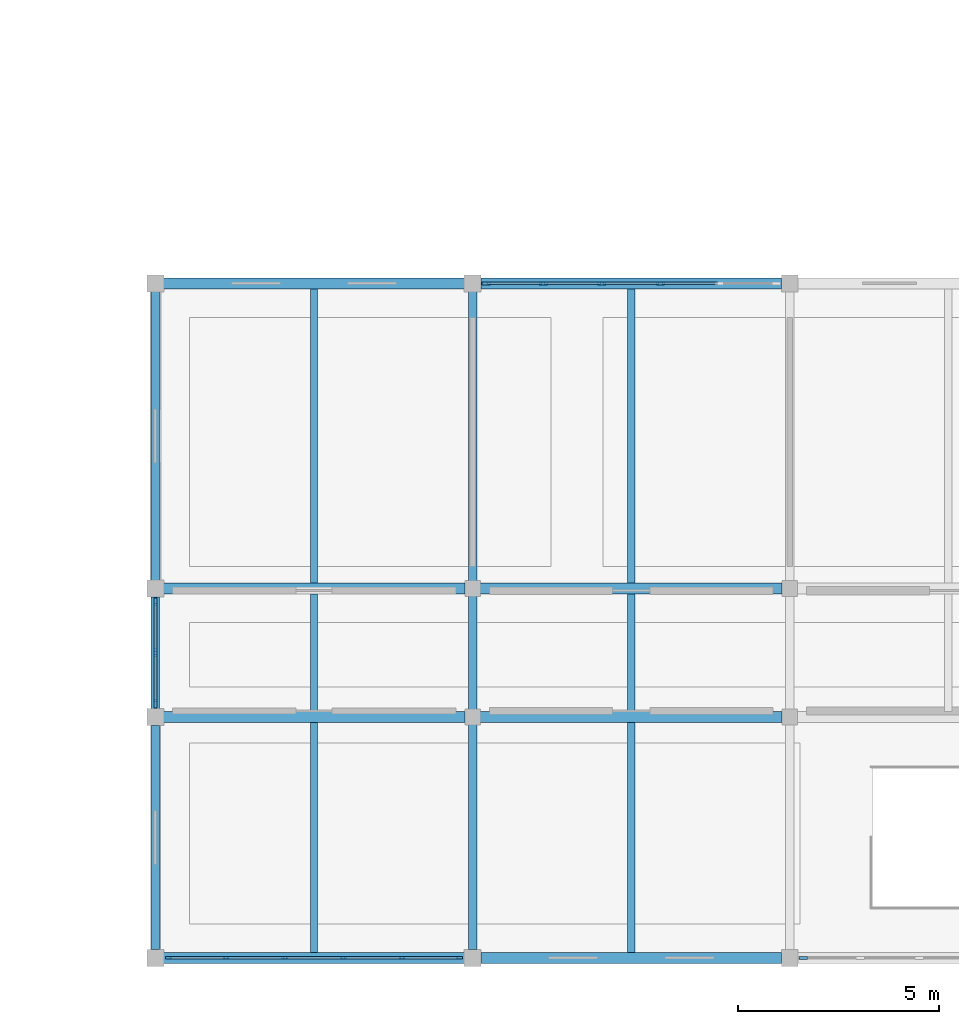
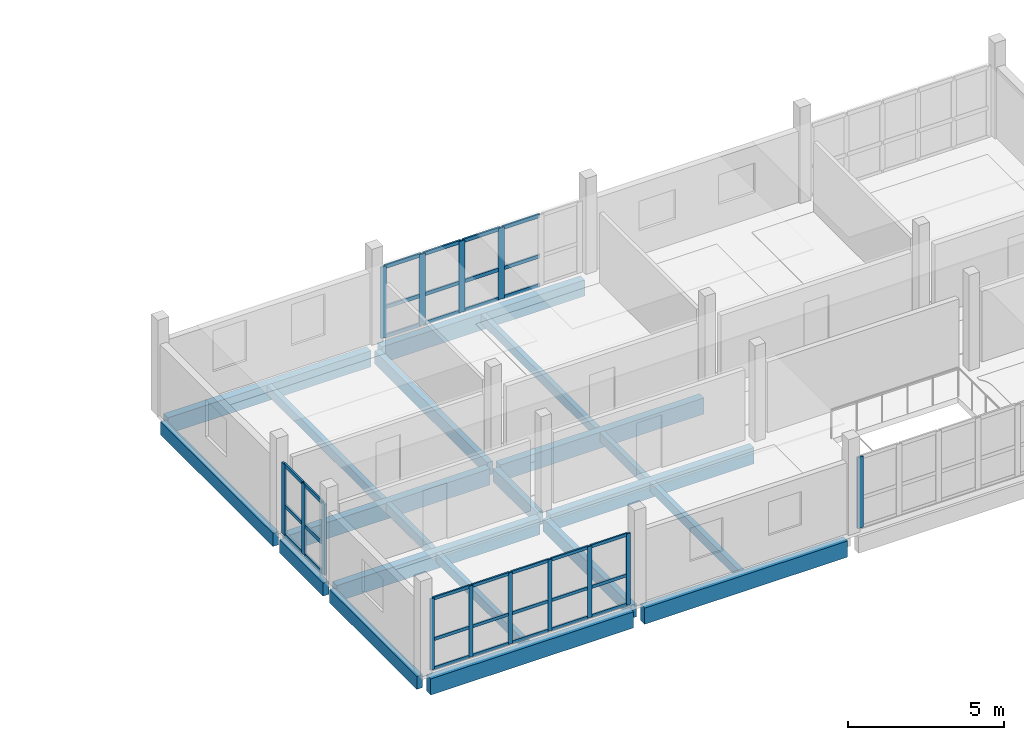
# One storey, part 14 of 66: 47 members, 20 beams, 4 elements without a shape of their own.
"""IFC4 building model written with IfcOpenShell, lengths in metres."""

from ifc_helpers import new_model, si_unit, direction, frame, origin, origin_2d, place, context, subcontext, project, spatial, rectangle, extrude, material, layer, layer_set, material_profile, profile_set, type_object, element, aggregate, save


model = new_model("IFC4")

# Units and contexts
model_context = context("Model", 3, precision=1e-05, world=origin(), true_north=direction((0.0, 1.0)))
body_context = subcontext(model_context, "Body", "Model", "MODEL_VIEW")
ifc_project = project(units=[si_unit("LENGTHUNIT", "METRE"), si_unit("AREAUNIT", "SQUARE_METRE"), si_unit("VOLUMEUNIT", "CUBIC_METRE"), si_unit("PLANEANGLEUNIT", "RADIAN"), si_unit("MASSUNIT", "GRAM", prefix="KILO")], contexts=[model_context])

# Site, building, storey
site_placement = place(None, origin())
site = spatial("IfcSite", under=ifc_project, at=site_placement, CompositionType="ELEMENT")
building_placement = place(site_placement, origin())
building = spatial("IfcBuilding", under=site, at=building_placement, Name="Caldaven Crescent School", CompositionType="ELEMENT")
storey_placement = place(building_placement, frame((0.0, 0.0, 8.159912109375)))
storey = spatial("IfcBuildingStorey", under=building, at=storey_placement, Name="L02", CompositionType="ELEMENT", Elevation=8.159912109375)

# Beams
ifc_material_1 = material(Name="Glulam MLE24h (GL28h)", Category="wood")
ifc_material_profile_1 = material_profile(ifc_material_1, rectangle(XDim=0.2099609375, YDim=0.510009765625, at=origin_2d()), Name="MLE 210x510")
ifc_profile_set_1 = profile_set([ifc_material_profile_1], Name="Glulam MLE24h (GL28h)")
beam_type_1 = type_object("IfcBeamType", Name="BM-GL51", PredefinedType="BEAM", material=ifc_profile_set_1)
beam_1_placement = place(storey_placement, frame((25.5, 4.405029296875, -0.5048828125), z_axis=(0.0, 1.0, 0.0), x_axis=(-1.0, 0.0, 0.0)))
element("IfcBeam", 1, at=beam_1_placement, inside=storey, type_object=beam_type_1, Name="BMY-V4S-L02-0646", PredefinedType="BEAM", context=body_context, shape_type="SweptSolid", body=[
    extrude(rectangle(XDim=0.2099609375, YDim=0.510009765625, at=origin_2d()), origin(), (0.0, 0.0, 1.0), 5.590087890625),
])
beam_2_placement = place(storey_placement, frame((25.5, 10.405029296875, -0.5048828125), z_axis=(0.0, 1.0, 0.0), x_axis=(-1.0, 0.0, 0.0)))
element("IfcBeam", 2, at=beam_2_placement, inside=storey, type_object=beam_type_1, Name="BMY-V4S-L02-0647", PredefinedType="BEAM", context=body_context, shape_type="SweptSolid", body=[
    extrude(rectangle(XDim=0.2099609375, YDim=0.510009765625, at=origin_2d()), origin(), (0.0, 0.0, 1.0), 2.7900390625),
])
beam_3_placement = place(storey_placement, frame((25.5, 13.60498046875, -0.5048828125), z_axis=(0.0, 1.0, 0.0), x_axis=(-1.0, 0.0, 0.0)))
element("IfcBeam", 3, at=beam_3_placement, inside=storey, type_object=beam_type_1, Name="BMY-V4S-L02-0648", PredefinedType="BEAM", context=body_context, shape_type="SweptSolid", body=[
    extrude(rectangle(XDim=0.2099609375, YDim=0.510009765625, at=origin_2d()), origin(), (0.0, 0.0, 1.0), 7.18994140625),
])
beam_4_placement = place(storey_placement, frame((33.39990234375, 4.405029296875, -0.5048828125), z_axis=(0.0, 1.0, 0.0), x_axis=(-1.0, 0.0, 0.0)))
element("IfcBeam", 4, at=beam_4_placement, inside=storey, type_object=beam_type_1, Name="BMY-V4S-L02-0649", PredefinedType="BEAM", context=body_context, shape_type="SweptSolid", body=[
    extrude(rectangle(XDim=0.2099609375, YDim=0.510009765625, at=origin_2d()), origin(), (0.0, 0.0, 1.0), 5.60498046875),
])
beam_5_placement = place(storey_placement, frame((33.39990234375, 10.389892578125, -0.5048828125), z_axis=(0.0, 1.0, 0.0), x_axis=(-1.0, 0.0, 0.0)))
element("IfcBeam", 5, at=beam_5_placement, inside=storey, type_object=beam_type_1, Name="BMY-V4S-L02-0650", PredefinedType="BEAM", context=body_context, shape_type="SweptSolid", body=[
    extrude(rectangle(XDim=0.2099609375, YDim=0.510009765625, at=origin_2d()), origin(), (0.0, 0.0, 1.0), 2.820068359375),
])
beam_6_placement = place(storey_placement, frame((33.39990234375, 13.590087890625, -0.5048828125), z_axis=(0.0, 1.0, 0.0), x_axis=(-1.0, 0.0, 0.0)))
element("IfcBeam", 6, at=beam_6_placement, inside=storey, type_object=beam_type_1, Name="BMY-V4S-L02-0651", PredefinedType="BEAM", context=body_context, shape_type="SweptSolid", body=[
    extrude(rectangle(XDim=0.2099609375, YDim=0.510009765625, at=origin_2d()), origin(), (0.0, 0.0, 1.0), 7.204833984375),
])
ifc_material_profile_2 = material_profile(ifc_material_1, rectangle(XDim=0.280029296875, YDim=0.6298828125, at=origin_2d()), Name="MLE 280x630")
ifc_profile_set_2 = profile_set([ifc_material_profile_2], Name="Glulam MLE24h (GL28h)")
beam_type_2 = type_object("IfcBeamType", Name="BM-GL63", PredefinedType="BEAM", material=ifc_profile_set_2)
for number, where, z_axis, x_axis, name in (
    (7, (25.705078125, 4.199951171875, -0.56494140625), (1.0, 0.0, 0.0), (0.0, 1.0, 0.0), "BMX-V4S-L02-0630"),
    (8, (33.60498046875, 4.199951171875, -0.56494140625), (1.0, 0.0, 0.0), (0.0, 1.0, 0.0), "BMX-V4S-L02-0631"),
):
    element("IfcBeam", number, at=place(storey_placement, frame(where, z_axis=z_axis, x_axis=x_axis)), inside=storey, type_object=beam_type_2, Name=name, PredefinedType="BEAM", context=body_context, shape_type="SweptSolid", body=[
        extrude(rectangle(XDim=0.280029296875, YDim=0.6298828125, at=origin_2d()), origin(), (0.0, 0.0, 1.0), 7.489990234375),
    ])
beam_7_placement = place(storey_placement, frame((25.705078125, 10.199951171875, -0.56494140625), z_axis=(1.0, 0.0, 0.0), x_axis=(0.0, 1.0, 0.0)))
element("IfcBeam", 9, at=beam_7_placement, inside=storey, type_object=beam_type_2, Name="BMX-V4S-L02-0634", PredefinedType="BEAM", context=body_context, shape_type="SweptSolid", body=[
    extrude(rectangle(XDim=0.280029296875, YDim=0.6298828125, at=origin_2d()), origin(), (0.0, 0.0, 1.0), 7.5048828125),
])
beam_8_placement = place(storey_placement, frame((33.590087890625, 10.199951171875, -0.56494140625), z_axis=(1.0, 0.0, 0.0), x_axis=(0.0, 1.0, 0.0)))
element("IfcBeam", 10, at=beam_8_placement, inside=storey, type_object=beam_type_2, Name="BMX-V4S-L02-0635", PredefinedType="BEAM", context=body_context, shape_type="SweptSolid", body=[
    extrude(rectangle(XDim=0.280029296875, YDim=0.6298828125, at=origin_2d()), origin(), (0.0, 0.0, 1.0), 7.52001953125),
])
beam_9_placement = place(storey_placement, frame((25.705078125, 13.39990234375, -0.56494140625), z_axis=(1.0, 0.0, 0.0), x_axis=(0.0, 1.0, 0.0)))
element("IfcBeam", 11, at=beam_9_placement, inside=storey, type_object=beam_type_2, Name="BMX-V4S-L02-0638", PredefinedType="BEAM", context=body_context, shape_type="SweptSolid", body=[
    extrude(rectangle(XDim=0.280029296875, YDim=0.6298828125, at=origin_2d()), origin(), (0.0, 0.0, 1.0), 7.5048828125),
])
beam_10_placement = place(storey_placement, frame((33.590087890625, 13.39990234375, -0.56494140625), z_axis=(1.0, 0.0, 0.0), x_axis=(0.0, 1.0, 0.0)))
element("IfcBeam", 12, at=beam_10_placement, inside=storey, type_object=beam_type_2, Name="BMX-V4S-L02-0639", PredefinedType="BEAM", context=body_context, shape_type="SweptSolid", body=[
    extrude(rectangle(XDim=0.280029296875, YDim=0.6298828125, at=origin_2d()), origin(), (0.0, 0.0, 1.0), 7.52001953125),
])
for number, where, z_axis, x_axis, name in (
    (13, (25.705078125, 21.0, -0.56494140625), (1.0, 0.0, 0.0), (0.0, 1.0, 0.0), "BMX-V4S-L02-0642"),
    (14, (33.60498046875, 21.0, -0.56494140625), (1.0, 0.0, 0.0), (0.0, 1.0, 0.0), "BMX-V4S-L02-0643"),
):
    element("IfcBeam", number, at=place(storey_placement, frame(where, z_axis=z_axis, x_axis=x_axis)), inside=storey, type_object=beam_type_2, Name=name, PredefinedType="BEAM", context=body_context, shape_type="SweptSolid", body=[
        extrude(rectangle(XDim=0.280029296875, YDim=0.6298828125, at=origin_2d()), origin(), (0.0, 0.0, 1.0), 7.489990234375),
    ])

# Curtain wall, members
ifc_material_2 = material(Name="Anodised aluminium AA 6063-T6 and low-E double glazing", Category="aluminium")
ifc_layer_1 = layer(ifc_material_2, 0.169921875)
ifc_layer_set_1 = layer_set([ifc_layer_1], Name="Anodised aluminium AA 6063-T6 and low-E double glazing")
curtain_wall_type_1 = type_object("IfcCurtainWallType", Name="CW-SYS1", PredefinedType="NOTDEFINED", material=ifc_layer_set_1)
curtain_wall_1_placement = place(storey_placement, origin())
curtain_wall_1 = element("IfcCurtainWall", 15, at=curtain_wall_1_placement, inside=storey, type_object=curtain_wall_type_1, Name="CW-L02-099", PredefinedType="NOTDEFINED")
ifc_material_3 = material(Name="Anodised aluminium AA 6063-T6", Category="aluminium")
ifc_material_profile_3 = material_profile(ifc_material_3, rectangle(XDim=0.06005859375, YDim=0.14990234375, at=origin_2d()), Name="CWM 60x150")
ifc_profile_set_3 = profile_set([ifc_material_profile_3], Name="Anodised aluminium AA 6063-T6")
member_type_1 = type_object("IfcMemberType", Name="CWM-T1", PredefinedType="MULLION", material=ifc_profile_set_3)
member_1_placement = place(storey_placement, frame((25.830078125, 4.199951171875, 0.0), z_axis=(0.0, 0.0, 1.0), x_axis=(0.0, 1.0, 0.0)))
member_1 = element("IfcMember", 16, at=member_1_placement, type_object=member_type_1, Name="CW1 mullion 1", PredefinedType="MULLION", context=body_context, shape_type="SweptSolid", body=[
    extrude(rectangle(XDim=0.06005859375, YDim=0.14990234375, at=origin_2d()), origin(), (0.0, 0.0, 1.0), 2.780029296875),
])
member_2_placement = place(storey_placement, frame((27.260009765625, 4.199951171875, 0.0), z_axis=(0.0, 0.0, 1.0), x_axis=(0.0, 1.0, 0.0)))
member_2 = element("IfcMember", 17, at=member_2_placement, type_object=member_type_1, Name="CW1 mullion 2", PredefinedType="MULLION", context=body_context, shape_type="SweptSolid", body=[
    extrude(rectangle(XDim=0.06005859375, YDim=0.14990234375, at=origin_2d()), origin(), (0.0, 0.0, 1.0), 2.780029296875),
])
member_3_placement = place(storey_placement, frame((28.719970703125, 4.199951171875, 0.0), z_axis=(0.0, 0.0, 1.0), x_axis=(0.0, 1.0, 0.0)))
member_3 = element("IfcMember", 18, at=member_3_placement, type_object=member_type_1, Name="CW1 mullion 3", PredefinedType="MULLION", context=body_context, shape_type="SweptSolid", body=[
    extrude(rectangle(XDim=0.06005859375, YDim=0.14990234375, at=origin_2d()), origin(), (0.0, 0.0, 1.0), 2.780029296875),
])
member_4_placement = place(storey_placement, frame((30.179931640625, 4.199951171875, 0.0), z_axis=(0.0, 0.0, 1.0), x_axis=(0.0, 1.0, 0.0)))
member_4 = element("IfcMember", 19, at=member_4_placement, type_object=member_type_1, Name="CW1 mullion 4", PredefinedType="MULLION", context=body_context, shape_type="SweptSolid", body=[
    extrude(rectangle(XDim=0.06005859375, YDim=0.14990234375, at=origin_2d()), origin(), (0.0, 0.0, 1.0), 2.780029296875),
])
member_5_placement = place(storey_placement, frame((31.639892578125, 4.199951171875, 0.0), z_axis=(0.0, 0.0, 1.0), x_axis=(0.0, 1.0, 0.0)))
member_5 = element("IfcMember", 20, at=member_5_placement, type_object=member_type_1, Name="CW1 mullion 5", PredefinedType="MULLION", context=body_context, shape_type="SweptSolid", body=[
    extrude(rectangle(XDim=0.06005859375, YDim=0.14990234375, at=origin_2d()), origin(), (0.0, 0.0, 1.0), 2.780029296875),
])
member_6_placement = place(storey_placement, frame((33.070068359375, 4.199951171875, 0.0), z_axis=(0.0, 0.0, 1.0), x_axis=(0.0, 1.0, 0.0)))
member_6 = element("IfcMember", 21, at=member_6_placement, type_object=member_type_1, Name="CW1 mullion 6", PredefinedType="MULLION", context=body_context, shape_type="SweptSolid", body=[
    extrude(rectangle(XDim=0.06005859375, YDim=0.14990234375, at=origin_2d()), origin(), (0.0, 0.0, 1.0), 2.780029296875),
])

# Curtain wall, member
ifc_layer_2 = layer(ifc_material_2, 0.2099609375)
ifc_layer_set_2 = layer_set([ifc_layer_2], Name="Anodised aluminium AA 6063-T6 and low-E double glazing")
curtain_wall_type_2 = type_object("IfcCurtainWallType", Name="CW-SYS3", PredefinedType="NOTDEFINED", material=ifc_layer_set_2)
curtain_wall_2_placement = place(storey_placement, origin())
curtain_wall_2 = element("IfcCurtainWall", 22, at=curtain_wall_2_placement, inside=storey, type_object=curtain_wall_type_2, Name="CW-L02-100", PredefinedType="NOTDEFINED")
ifc_material_profile_4 = material_profile(ifc_material_3, rectangle(XDim=0.070068359375, YDim=0.2099609375, at=origin_2d()), Name="CWM 70x210")
ifc_profile_set_4 = profile_set([ifc_material_profile_4], Name="Anodised aluminium AA 6063-T6")
member_type_2 = type_object("IfcMemberType", Name="CWM-T3", PredefinedType="MULLION", material=ifc_profile_set_4)
member_7_placement = place(storey_placement, frame((41.635009765625, 4.199951171875, 0.0), z_axis=(0.0, 0.0, 1.0), x_axis=(0.0, 1.0, 0.0)))
member_7 = element("IfcMember", 23, at=member_7_placement, type_object=member_type_2, Name="CW3 mullion 1", PredefinedType="MULLION", context=body_context, shape_type="SweptSolid", body=[
    extrude(rectangle(XDim=0.070068359375, YDim=0.2099609375, at=origin_2d()), origin(), (0.0, 0.0, 1.0), 2.780029296875),
])
aggregate(curtain_wall_2, [member_7])

# Curtain wall, members
curtain_wall_3_placement = place(storey_placement, origin())
curtain_wall_3 = element("IfcCurtainWall", 24, at=curtain_wall_3_placement, inside=storey, type_object=curtain_wall_type_2, Name="CW-L02-101", PredefinedType="NOTDEFINED")
member_8_placement = place(storey_placement, frame((33.735107421875, 21.0, 0.0), z_axis=(0.0, 0.0, 1.0), x_axis=(0.0, 1.0, 0.0)))
member_8 = element("IfcMember", 25, at=member_8_placement, type_object=member_type_2, Name="CW3 mullion 1", PredefinedType="MULLION", context=body_context, shape_type="SweptSolid", body=[
    extrude(rectangle(XDim=0.070068359375, YDim=0.2099609375, at=origin_2d()), origin(), (0.0, 0.0, 1.0), 2.780029296875),
])
member_9_placement = place(storey_placement, frame((35.159912109375, 21.0, 0.0), z_axis=(0.0, 0.0, 1.0), x_axis=(0.0, 1.0, 0.0)))
member_9 = element("IfcMember", 26, at=member_9_placement, type_object=member_type_2, Name="CW3 mullion 2", PredefinedType="MULLION", context=body_context, shape_type="SweptSolid", body=[
    extrude(rectangle(XDim=0.070068359375, YDim=0.2099609375, at=origin_2d()), origin(), (0.0, 0.0, 1.0), 2.780029296875),
])
member_10_placement = place(storey_placement, frame((36.6201171875, 21.0, 0.0), z_axis=(0.0, 0.0, 1.0), x_axis=(0.0, 1.0, 0.0)))
member_10 = element("IfcMember", 27, at=member_10_placement, type_object=member_type_2, Name="CW3 mullion 3", PredefinedType="MULLION", context=body_context, shape_type="SweptSolid", body=[
    extrude(rectangle(XDim=0.070068359375, YDim=0.2099609375, at=origin_2d()), origin(), (0.0, 0.0, 1.0), 2.780029296875),
])
member_11_placement = place(storey_placement, frame((38.080078125, 21.0, 0.0), z_axis=(0.0, 0.0, 1.0), x_axis=(0.0, 1.0, 0.0)))
member_11 = element("IfcMember", 28, at=member_11_placement, type_object=member_type_2, Name="CW3 mullion 4", PredefinedType="MULLION", context=body_context, shape_type="SweptSolid", body=[
    extrude(rectangle(XDim=0.070068359375, YDim=0.2099609375, at=origin_2d()), origin(), (0.0, 0.0, 1.0), 2.780029296875),
])

curtain_wall_4_placement = place(storey_placement, origin())
curtain_wall_4 = element("IfcCurtainWall", 29, at=curtain_wall_4_placement, inside=storey, type_object=curtain_wall_type_2, Name="CW-L02-103", PredefinedType="NOTDEFINED")
member_12_placement = place(storey_placement, frame((25.5, 10.534912109375, 0.0), z_axis=(0.0, 0.0, 1.0), x_axis=(-1.0, 0.0, 0.0)))
member_12 = element("IfcMember", 30, at=member_12_placement, type_object=member_type_2, Name="CW3 mullion 1", PredefinedType="MULLION", context=body_context, shape_type="SweptSolid", body=[
    extrude(rectangle(XDim=0.070068359375, YDim=0.2099609375, at=origin_2d()), origin(), (0.0, 0.0, 1.0), 2.780029296875),
])
member_13_placement = place(storey_placement, frame((25.5, 11.800048828125, 0.0), z_axis=(0.0, 0.0, 1.0), x_axis=(-1.0, 0.0, 0.0)))
member_13 = element("IfcMember", 31, at=member_13_placement, type_object=member_type_2, Name="CW3 mullion 2", PredefinedType="MULLION", context=body_context, shape_type="SweptSolid", body=[
    extrude(rectangle(XDim=0.070068359375, YDim=0.2099609375, at=origin_2d()), origin(), (0.0, 0.0, 1.0), 2.780029296875),
])
member_14_placement = place(storey_placement, frame((25.5, 13.06494140625, 0.0), z_axis=(0.0, 0.0, 1.0), x_axis=(-1.0, 0.0, 0.0)))
member_14 = element("IfcMember", 32, at=member_14_placement, type_object=member_type_2, Name="CW3 mullion 3", PredefinedType="MULLION", context=body_context, shape_type="SweptSolid", body=[
    extrude(rectangle(XDim=0.070068359375, YDim=0.2099609375, at=origin_2d()), origin(), (0.0, 0.0, 1.0), 2.780029296875),
])

# Member
ifc_material_profile_5 = material_profile(ifc_material_3, rectangle(XDim=0.06005859375, YDim=0.1201171875, at=origin_2d()), Name="CWT 60x120")
ifc_profile_set_5 = profile_set([ifc_material_profile_5], Name="Anodised aluminium AA 6063-T6")
member_type_3 = type_object("IfcMemberType", Name="CWT-T1", PredefinedType="USERDEFINED", material=ifc_profile_set_5)
member_15_placement = place(storey_placement, frame((25.860107421875, 4.199951171875, 0.030029296875), z_axis=(1.0, 0.0, 0.0), x_axis=(0.0, 1.0, 0.0)))
member_15 = element("IfcMember", 33, at=member_15_placement, type_object=member_type_3, Name="CW1 transom 1.1", ObjectType="TRANSOM", PredefinedType="USERDEFINED", context=body_context, shape_type="SweptSolid", body=[
    extrude(rectangle(XDim=0.06005859375, YDim=0.1201171875, at=origin_2d()), origin(), (0.0, 0.0, 1.0), 1.369873046875),
])

member_16_placement = place(storey_placement, frame((25.860107421875, 4.199951171875, 1.16796875), z_axis=(1.0, 0.0, 0.0), x_axis=(0.0, 1.0, 0.0)))
member_16 = element("IfcMember", 34, at=member_16_placement, type_object=member_type_3, Name="CW1 transom 1.2", ObjectType="TRANSOM", PredefinedType="USERDEFINED", context=body_context, shape_type="SweptSolid", body=[
    extrude(rectangle(XDim=0.06005859375, YDim=0.1201171875, at=origin_2d()), origin(), (0.0, 0.0, 1.0), 1.369873046875),
])

member_17_placement = place(storey_placement, frame((25.860107421875, 4.199951171875, 2.75), z_axis=(1.0, 0.0, 0.0), x_axis=(0.0, 1.0, 0.0)))
member_17 = element("IfcMember", 35, at=member_17_placement, type_object=member_type_3, Name="CW1 transom 1.3", ObjectType="TRANSOM", PredefinedType="USERDEFINED", context=body_context, shape_type="SweptSolid", body=[
    extrude(rectangle(XDim=0.06005859375, YDim=0.1201171875, at=origin_2d()), origin(), (0.0, 0.0, 1.0), 1.369873046875),
])

member_18_placement = place(storey_placement, frame((27.2900390625, 4.199951171875, 0.030029296875), z_axis=(1.0, 0.0, 0.0), x_axis=(0.0, 1.0, 0.0)))
member_18 = element("IfcMember", 36, at=member_18_placement, type_object=member_type_3, Name="CW1 transom 2.1", ObjectType="TRANSOM", PredefinedType="USERDEFINED", context=body_context, shape_type="SweptSolid", body=[
    extrude(rectangle(XDim=0.06005859375, YDim=0.1201171875, at=origin_2d()), origin(), (0.0, 0.0, 1.0), 1.39990234375),
])

member_19_placement = place(storey_placement, frame((27.2900390625, 4.199951171875, 1.16796875), z_axis=(1.0, 0.0, 0.0), x_axis=(0.0, 1.0, 0.0)))
member_19 = element("IfcMember", 37, at=member_19_placement, type_object=member_type_3, Name="CW1 transom 2.2", ObjectType="TRANSOM", PredefinedType="USERDEFINED", context=body_context, shape_type="SweptSolid", body=[
    extrude(rectangle(XDim=0.06005859375, YDim=0.1201171875, at=origin_2d()), origin(), (0.0, 0.0, 1.0), 1.39990234375),
])

member_20_placement = place(storey_placement, frame((27.2900390625, 4.199951171875, 2.75), z_axis=(1.0, 0.0, 0.0), x_axis=(0.0, 1.0, 0.0)))
member_20 = element("IfcMember", 38, at=member_20_placement, type_object=member_type_3, Name="CW1 transom 2.3", ObjectType="TRANSOM", PredefinedType="USERDEFINED", context=body_context, shape_type="SweptSolid", body=[
    extrude(rectangle(XDim=0.06005859375, YDim=0.1201171875, at=origin_2d()), origin(), (0.0, 0.0, 1.0), 1.39990234375),
])

member_21_placement = place(storey_placement, frame((28.75, 4.199951171875, 0.030029296875), z_axis=(1.0, 0.0, 0.0), x_axis=(0.0, 1.0, 0.0)))
member_21 = element("IfcMember", 39, at=member_21_placement, type_object=member_type_3, Name="CW1 transom 3.1", ObjectType="TRANSOM", PredefinedType="USERDEFINED", context=body_context, shape_type="SweptSolid", body=[
    extrude(rectangle(XDim=0.06005859375, YDim=0.1201171875, at=origin_2d()), origin(), (0.0, 0.0, 1.0), 1.39990234375),
])

member_22_placement = place(storey_placement, frame((28.75, 4.199951171875, 1.16796875), z_axis=(1.0, 0.0, 0.0), x_axis=(0.0, 1.0, 0.0)))
member_22 = element("IfcMember", 40, at=member_22_placement, type_object=member_type_3, Name="CW1 transom 3.2", ObjectType="TRANSOM", PredefinedType="USERDEFINED", context=body_context, shape_type="SweptSolid", body=[
    extrude(rectangle(XDim=0.06005859375, YDim=0.1201171875, at=origin_2d()), origin(), (0.0, 0.0, 1.0), 1.39990234375),
])

member_23_placement = place(storey_placement, frame((28.75, 4.199951171875, 2.75), z_axis=(1.0, 0.0, 0.0), x_axis=(0.0, 1.0, 0.0)))
member_23 = element("IfcMember", 41, at=member_23_placement, type_object=member_type_3, Name="CW1 transom 3.3", ObjectType="TRANSOM", PredefinedType="USERDEFINED", context=body_context, shape_type="SweptSolid", body=[
    extrude(rectangle(XDim=0.06005859375, YDim=0.1201171875, at=origin_2d()), origin(), (0.0, 0.0, 1.0), 1.39990234375),
])

member_24_placement = place(storey_placement, frame((30.2099609375, 4.199951171875, 0.030029296875), z_axis=(1.0, 0.0, 0.0), x_axis=(0.0, 1.0, 0.0)))
member_24 = element("IfcMember", 42, at=member_24_placement, type_object=member_type_3, Name="CW1 transom 4.1", ObjectType="TRANSOM", PredefinedType="USERDEFINED", context=body_context, shape_type="SweptSolid", body=[
    extrude(rectangle(XDim=0.06005859375, YDim=0.1201171875, at=origin_2d()), origin(), (0.0, 0.0, 1.0), 1.400146484375),
])

member_25_placement = place(storey_placement, frame((30.2099609375, 4.199951171875, 1.16796875), z_axis=(1.0, 0.0, 0.0), x_axis=(0.0, 1.0, 0.0)))
member_25 = element("IfcMember", 43, at=member_25_placement, type_object=member_type_3, Name="CW1 transom 4.2", ObjectType="TRANSOM", PredefinedType="USERDEFINED", context=body_context, shape_type="SweptSolid", body=[
    extrude(rectangle(XDim=0.06005859375, YDim=0.1201171875, at=origin_2d()), origin(), (0.0, 0.0, 1.0), 1.400146484375),
])

member_26_placement = place(storey_placement, frame((30.2099609375, 4.199951171875, 2.75), z_axis=(1.0, 0.0, 0.0), x_axis=(0.0, 1.0, 0.0)))
member_26 = element("IfcMember", 44, at=member_26_placement, type_object=member_type_3, Name="CW1 transom 4.3", ObjectType="TRANSOM", PredefinedType="USERDEFINED", context=body_context, shape_type="SweptSolid", body=[
    extrude(rectangle(XDim=0.06005859375, YDim=0.1201171875, at=origin_2d()), origin(), (0.0, 0.0, 1.0), 1.400146484375),
])

member_27_placement = place(storey_placement, frame((31.669921875, 4.199951171875, 0.030029296875), z_axis=(1.0, 0.0, 0.0), x_axis=(0.0, 1.0, 0.0)))
member_27 = element("IfcMember", 45, at=member_27_placement, type_object=member_type_3, Name="CW1 transom 5.1", ObjectType="TRANSOM", PredefinedType="USERDEFINED", context=body_context, shape_type="SweptSolid", body=[
    extrude(rectangle(XDim=0.06005859375, YDim=0.1201171875, at=origin_2d()), origin(), (0.0, 0.0, 1.0), 1.3701171875),
])

member_28_placement = place(storey_placement, frame((31.669921875, 4.199951171875, 1.16796875), z_axis=(1.0, 0.0, 0.0), x_axis=(0.0, 1.0, 0.0)))
member_28 = element("IfcMember", 46, at=member_28_placement, type_object=member_type_3, Name="CW1 transom 5.2", ObjectType="TRANSOM", PredefinedType="USERDEFINED", context=body_context, shape_type="SweptSolid", body=[
    extrude(rectangle(XDim=0.06005859375, YDim=0.1201171875, at=origin_2d()), origin(), (0.0, 0.0, 1.0), 1.3701171875),
])

member_29_placement = place(storey_placement, frame((31.669921875, 4.199951171875, 2.75), z_axis=(1.0, 0.0, 0.0), x_axis=(0.0, 1.0, 0.0)))
member_29 = element("IfcMember", 47, at=member_29_placement, type_object=member_type_3, Name="CW1 transom 5.3", ObjectType="TRANSOM", PredefinedType="USERDEFINED", context=body_context, shape_type="SweptSolid", body=[
    extrude(rectangle(XDim=0.06005859375, YDim=0.1201171875, at=origin_2d()), origin(), (0.0, 0.0, 1.0), 1.3701171875),
])

aggregate(curtain_wall_1, [member_1, member_2, member_3, member_4, member_5, member_6, member_15, member_16, member_17, member_18, member_19, member_20, member_21, member_22, member_23, member_24, member_25, member_26, member_27, member_28, member_29])

ifc_material_profile_6 = material_profile(ifc_material_3, rectangle(XDim=0.06494140625, YDim=0.139892578125, at=origin_2d()), Name="CWT 65x140")
ifc_profile_set_6 = profile_set([ifc_material_profile_6], Name="Anodised aluminium AA 6063-T6")
member_type_4 = type_object("IfcMemberType", Name="CWT-T2", PredefinedType="USERDEFINED", material=ifc_profile_set_6)
member_30_placement = place(storey_placement, frame((33.77001953125, 21.0, 0.032470703125), z_axis=(1.0, 0.0, 0.0), x_axis=(0.0, 1.0, 0.0)))
member_30 = element("IfcMember", 48, at=member_30_placement, type_object=member_type_4, Name="CW3 transom 1.1", ObjectType="TRANSOM", PredefinedType="USERDEFINED", context=body_context, shape_type="SweptSolid", body=[
    extrude(rectangle(XDim=0.06494140625, YDim=0.139892578125, at=origin_2d()), origin(), (0.0, 0.0, 1.0), 1.35498046875),
])

member_31_placement = place(storey_placement, frame((33.77001953125, 21.0, 1.16796875), z_axis=(1.0, 0.0, 0.0), x_axis=(0.0, 1.0, 0.0)))
member_31 = element("IfcMember", 49, at=member_31_placement, type_object=member_type_4, Name="CW3 transom 1.2", ObjectType="TRANSOM", PredefinedType="USERDEFINED", context=body_context, shape_type="SweptSolid", body=[
    extrude(rectangle(XDim=0.06494140625, YDim=0.139892578125, at=origin_2d()), origin(), (0.0, 0.0, 1.0), 1.35498046875),
])

member_32_placement = place(storey_placement, frame((33.77001953125, 21.0, 2.74755859375), z_axis=(1.0, 0.0, 0.0), x_axis=(0.0, 1.0, 0.0)))
member_32 = element("IfcMember", 50, at=member_32_placement, type_object=member_type_4, Name="CW3 transom 1.3", ObjectType="TRANSOM", PredefinedType="USERDEFINED", context=body_context, shape_type="SweptSolid", body=[
    extrude(rectangle(XDim=0.06494140625, YDim=0.139892578125, at=origin_2d()), origin(), (0.0, 0.0, 1.0), 1.35498046875),
])

member_33_placement = place(storey_placement, frame((35.195068359375, 21.0, 0.032470703125), z_axis=(1.0, 0.0, 0.0), x_axis=(0.0, 1.0, 0.0)))
member_33 = element("IfcMember", 51, at=member_33_placement, type_object=member_type_4, Name="CW3 transom 2.1", ObjectType="TRANSOM", PredefinedType="USERDEFINED", context=body_context, shape_type="SweptSolid", body=[
    extrude(rectangle(XDim=0.06494140625, YDim=0.139892578125, at=origin_2d()), origin(), (0.0, 0.0, 1.0), 1.389892578125),
])

member_34_placement = place(storey_placement, frame((35.195068359375, 21.0, 1.16796875), z_axis=(1.0, 0.0, 0.0), x_axis=(0.0, 1.0, 0.0)))
member_34 = element("IfcMember", 52, at=member_34_placement, type_object=member_type_4, Name="CW3 transom 2.2", ObjectType="TRANSOM", PredefinedType="USERDEFINED", context=body_context, shape_type="SweptSolid", body=[
    extrude(rectangle(XDim=0.06494140625, YDim=0.139892578125, at=origin_2d()), origin(), (0.0, 0.0, 1.0), 1.389892578125),
])

member_35_placement = place(storey_placement, frame((35.195068359375, 21.0, 2.74755859375), z_axis=(1.0, 0.0, 0.0), x_axis=(0.0, 1.0, 0.0)))
member_35 = element("IfcMember", 53, at=member_35_placement, type_object=member_type_4, Name="CW3 transom 2.3", ObjectType="TRANSOM", PredefinedType="USERDEFINED", context=body_context, shape_type="SweptSolid", body=[
    extrude(rectangle(XDim=0.06494140625, YDim=0.139892578125, at=origin_2d()), origin(), (0.0, 0.0, 1.0), 1.389892578125),
])

member_36_placement = place(storey_placement, frame((36.655029296875, 21.0, 0.032470703125), z_axis=(1.0, 0.0, 0.0), x_axis=(0.0, 1.0, 0.0)))
member_36 = element("IfcMember", 54, at=member_36_placement, type_object=member_type_4, Name="CW3 transom 3.1", ObjectType="TRANSOM", PredefinedType="USERDEFINED", context=body_context, shape_type="SweptSolid", body=[
    extrude(rectangle(XDim=0.06494140625, YDim=0.139892578125, at=origin_2d()), origin(), (0.0, 0.0, 1.0), 1.389892578125),
])

member_37_placement = place(storey_placement, frame((36.655029296875, 21.0, 1.16796875), z_axis=(1.0, 0.0, 0.0), x_axis=(0.0, 1.0, 0.0)))
member_37 = element("IfcMember", 55, at=member_37_placement, type_object=member_type_4, Name="CW3 transom 3.2", ObjectType="TRANSOM", PredefinedType="USERDEFINED", context=body_context, shape_type="SweptSolid", body=[
    extrude(rectangle(XDim=0.06494140625, YDim=0.139892578125, at=origin_2d()), origin(), (0.0, 0.0, 1.0), 1.389892578125),
])

member_38_placement = place(storey_placement, frame((36.655029296875, 21.0, 2.74755859375), z_axis=(1.0, 0.0, 0.0), x_axis=(0.0, 1.0, 0.0)))
member_38 = element("IfcMember", 56, at=member_38_placement, type_object=member_type_4, Name="CW3 transom 3.3", ObjectType="TRANSOM", PredefinedType="USERDEFINED", context=body_context, shape_type="SweptSolid", body=[
    extrude(rectangle(XDim=0.06494140625, YDim=0.139892578125, at=origin_2d()), origin(), (0.0, 0.0, 1.0), 1.389892578125),
])

member_39_placement = place(storey_placement, frame((38.114990234375, 21.0, 0.032470703125), z_axis=(1.0, 0.0, 0.0), x_axis=(0.0, 1.0, 0.0)))
member_39 = element("IfcMember", 57, at=member_39_placement, type_object=member_type_4, Name="CW3 transom 4.1", ObjectType="TRANSOM", PredefinedType="USERDEFINED", context=body_context, shape_type="SweptSolid", body=[
    extrude(rectangle(XDim=0.06494140625, YDim=0.139892578125, at=origin_2d()), origin(), (0.0, 0.0, 1.0), 1.389892578125),
])

member_40_placement = place(storey_placement, frame((38.114990234375, 21.0, 1.16796875), z_axis=(1.0, 0.0, 0.0), x_axis=(0.0, 1.0, 0.0)))
member_40 = element("IfcMember", 58, at=member_40_placement, type_object=member_type_4, Name="CW3 transom 4.2", ObjectType="TRANSOM", PredefinedType="USERDEFINED", context=body_context, shape_type="SweptSolid", body=[
    extrude(rectangle(XDim=0.06494140625, YDim=0.139892578125, at=origin_2d()), origin(), (0.0, 0.0, 1.0), 1.389892578125),
])

member_41_placement = place(storey_placement, frame((38.114990234375, 21.0, 2.74755859375), z_axis=(1.0, 0.0, 0.0), x_axis=(0.0, 1.0, 0.0)))
member_41 = element("IfcMember", 59, at=member_41_placement, type_object=member_type_4, Name="CW3 transom 4.3", ObjectType="TRANSOM", PredefinedType="USERDEFINED", context=body_context, shape_type="SweptSolid", body=[
    extrude(rectangle(XDim=0.06494140625, YDim=0.139892578125, at=origin_2d()), origin(), (0.0, 0.0, 1.0), 1.389892578125),
])

aggregate(curtain_wall_3, [member_8, member_9, member_10, member_11, member_30, member_31, member_32, member_33, member_34, member_35, member_36, member_37, member_38, member_39, member_40, member_41])

member_42_placement = place(storey_placement, frame((25.5, 10.570068359375, 0.032470703125), z_axis=(0.0, 1.0, 0.0), x_axis=(-1.0, 0.0, 0.0)))
member_42 = element("IfcMember", 60, at=member_42_placement, type_object=member_type_4, Name="CW3 transom 1.1", ObjectType="TRANSOM", PredefinedType="USERDEFINED", context=body_context, shape_type="SweptSolid", body=[
    extrude(rectangle(XDim=0.06494140625, YDim=0.139892578125, at=origin_2d()), origin(), (0.0, 0.0, 1.0), 1.19482421875),
])

member_43_placement = place(storey_placement, frame((25.5, 10.570068359375, 1.16796875), z_axis=(0.0, 1.0, 0.0), x_axis=(-1.0, 0.0, 0.0)))
member_43 = element("IfcMember", 61, at=member_43_placement, type_object=member_type_4, Name="CW3 transom 1.2", ObjectType="TRANSOM", PredefinedType="USERDEFINED", context=body_context, shape_type="SweptSolid", body=[
    extrude(rectangle(XDim=0.06494140625, YDim=0.139892578125, at=origin_2d()), origin(), (0.0, 0.0, 1.0), 1.19482421875),
])

member_44_placement = place(storey_placement, frame((25.5, 10.570068359375, 2.74755859375), z_axis=(0.0, 1.0, 0.0), x_axis=(-1.0, 0.0, 0.0)))
member_44 = element("IfcMember", 62, at=member_44_placement, type_object=member_type_4, Name="CW3 transom 1.3", ObjectType="TRANSOM", PredefinedType="USERDEFINED", context=body_context, shape_type="SweptSolid", body=[
    extrude(rectangle(XDim=0.06494140625, YDim=0.139892578125, at=origin_2d()), origin(), (0.0, 0.0, 1.0), 1.19482421875),
])

member_45_placement = place(storey_placement, frame((25.5, 11.8349609375, 0.032470703125), z_axis=(0.0, 1.0, 0.0), x_axis=(-1.0, 0.0, 0.0)))
member_45 = element("IfcMember", 63, at=member_45_placement, type_object=member_type_4, Name="CW3 transom 2.1", ObjectType="TRANSOM", PredefinedType="USERDEFINED", context=body_context, shape_type="SweptSolid", body=[
    extrude(rectangle(XDim=0.06494140625, YDim=0.139892578125, at=origin_2d()), origin(), (0.0, 0.0, 1.0), 1.195068359375),
])

member_46_placement = place(storey_placement, frame((25.5, 11.8349609375, 1.16796875), z_axis=(0.0, 1.0, 0.0), x_axis=(-1.0, 0.0, 0.0)))
member_46 = element("IfcMember", 64, at=member_46_placement, type_object=member_type_4, Name="CW3 transom 2.2", ObjectType="TRANSOM", PredefinedType="USERDEFINED", context=body_context, shape_type="SweptSolid", body=[
    extrude(rectangle(XDim=0.06494140625, YDim=0.139892578125, at=origin_2d()), origin(), (0.0, 0.0, 1.0), 1.195068359375),
])

member_47_placement = place(storey_placement, frame((25.5, 11.8349609375, 2.74755859375), z_axis=(0.0, 1.0, 0.0), x_axis=(-1.0, 0.0, 0.0)))
member_47 = element("IfcMember", 65, at=member_47_placement, type_object=member_type_4, Name="CW3 transom 2.3", ObjectType="TRANSOM", PredefinedType="USERDEFINED", context=body_context, shape_type="SweptSolid", body=[
    extrude(rectangle(XDim=0.06494140625, YDim=0.139892578125, at=origin_2d()), origin(), (0.0, 0.0, 1.0), 1.195068359375),
])

aggregate(curtain_wall_4, [member_12, member_13, member_14, member_42, member_43, member_44, member_45, member_46, member_47])

# Beams
ifc_material_profile_7 = material_profile(ifc_material_1, rectangle(XDim=0.179931640625, YDim=0.360107421875, at=origin_2d()), Name="MLE 180x360")
ifc_profile_set_7 = profile_set([ifc_material_profile_7], Name="Glulam MLE24h (GL28h)")
beam_type_3 = type_object("IfcBeamType", Name="JS-GL36", PredefinedType="JOIST", material=ifc_profile_set_7)
beam_11_placement = place(storey_placement, frame((29.449951171875, 4.3349609375, -0.429931640625), z_axis=(0.0, 1.0, 0.0), x_axis=(-1.0, 0.0, 0.0)))
element("IfcBeam", 66, at=beam_11_placement, inside=storey, type_object=beam_type_3, Name="JS-V4S-L02-0661", PredefinedType="JOIST", context=body_context, shape_type="SweptSolid", body=[
    extrude(rectangle(XDim=0.179931640625, YDim=0.360107421875, at=origin_2d()), origin(), (0.0, 0.0, 1.0), 5.72998046875),
])
beam_12_placement = place(storey_placement, frame((29.449951171875, 10.3349609375, -0.429931640625), z_axis=(0.0, 1.0, 0.0), x_axis=(-1.0, 0.0, 0.0)))
element("IfcBeam", 67, at=beam_12_placement, inside=storey, type_object=beam_type_3, Name="JS-V4S-L02-0662", PredefinedType="JOIST", context=body_context, shape_type="SweptSolid", body=[
    extrude(rectangle(XDim=0.179931640625, YDim=0.360107421875, at=origin_2d()), origin(), (0.0, 0.0, 1.0), 2.929931640625),
])
beam_13_placement = place(storey_placement, frame((29.449951171875, 13.534912109375, -0.429931640625), z_axis=(0.0, 1.0, 0.0), x_axis=(-1.0, 0.0, 0.0)))
element("IfcBeam", 68, at=beam_13_placement, inside=storey, type_object=beam_type_3, Name="JS-V4S-L02-0663", PredefinedType="JOIST", context=body_context, shape_type="SweptSolid", body=[
    extrude(rectangle(XDim=0.179931640625, YDim=0.360107421875, at=origin_2d()), origin(), (0.0, 0.0, 1.0), 7.330078125),
])
beam_14_placement = place(storey_placement, frame((37.35009765625, 4.3349609375, -0.429931640625), z_axis=(0.0, 1.0, 0.0), x_axis=(-1.0, 0.0, 0.0)))
element("IfcBeam", 69, at=beam_14_placement, inside=storey, type_object=beam_type_3, Name="JS-V4S-L02-0664", PredefinedType="JOIST", context=body_context, shape_type="SweptSolid", body=[
    extrude(rectangle(XDim=0.179931640625, YDim=0.360107421875, at=origin_2d()), origin(), (0.0, 0.0, 1.0), 5.72998046875),
])
beam_15_placement = place(storey_placement, frame((37.35009765625, 10.3349609375, -0.429931640625), z_axis=(0.0, 1.0, 0.0), x_axis=(-1.0, 0.0, 0.0)))
element("IfcBeam", 70, at=beam_15_placement, inside=storey, type_object=beam_type_3, Name="JS-V4S-L02-0665", PredefinedType="JOIST", context=body_context, shape_type="SweptSolid", body=[
    extrude(rectangle(XDim=0.179931640625, YDim=0.360107421875, at=origin_2d()), origin(), (0.0, 0.0, 1.0), 2.929931640625),
])
beam_16_placement = place(storey_placement, frame((37.35009765625, 13.534912109375, -0.429931640625), z_axis=(0.0, 1.0, 0.0), x_axis=(-1.0, 0.0, 0.0)))
element("IfcBeam", 71, at=beam_16_placement, inside=storey, type_object=beam_type_3, Name="JS-V4S-L02-0666", PredefinedType="JOIST", context=body_context, shape_type="SweptSolid", body=[
    extrude(rectangle(XDim=0.179931640625, YDim=0.360107421875, at=origin_2d()), origin(), (0.0, 0.0, 1.0), 7.330078125),
])

save(model, "model.ifc")
